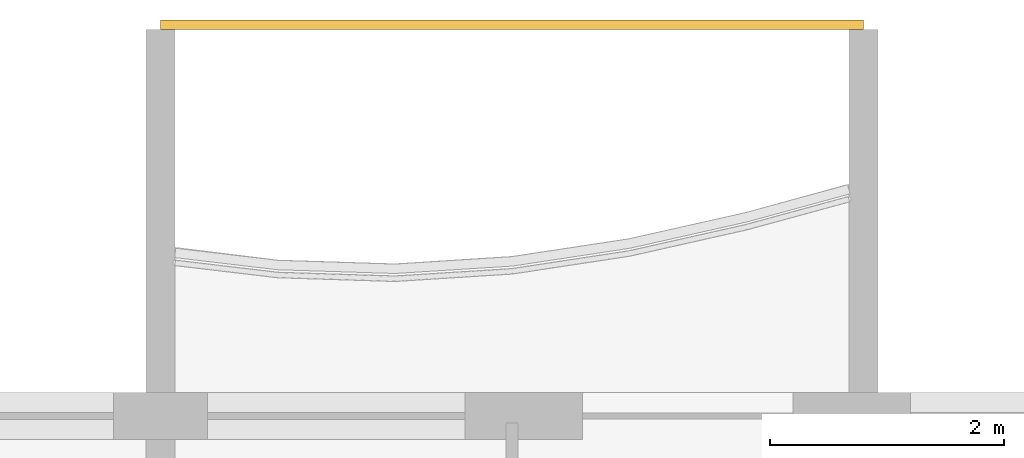
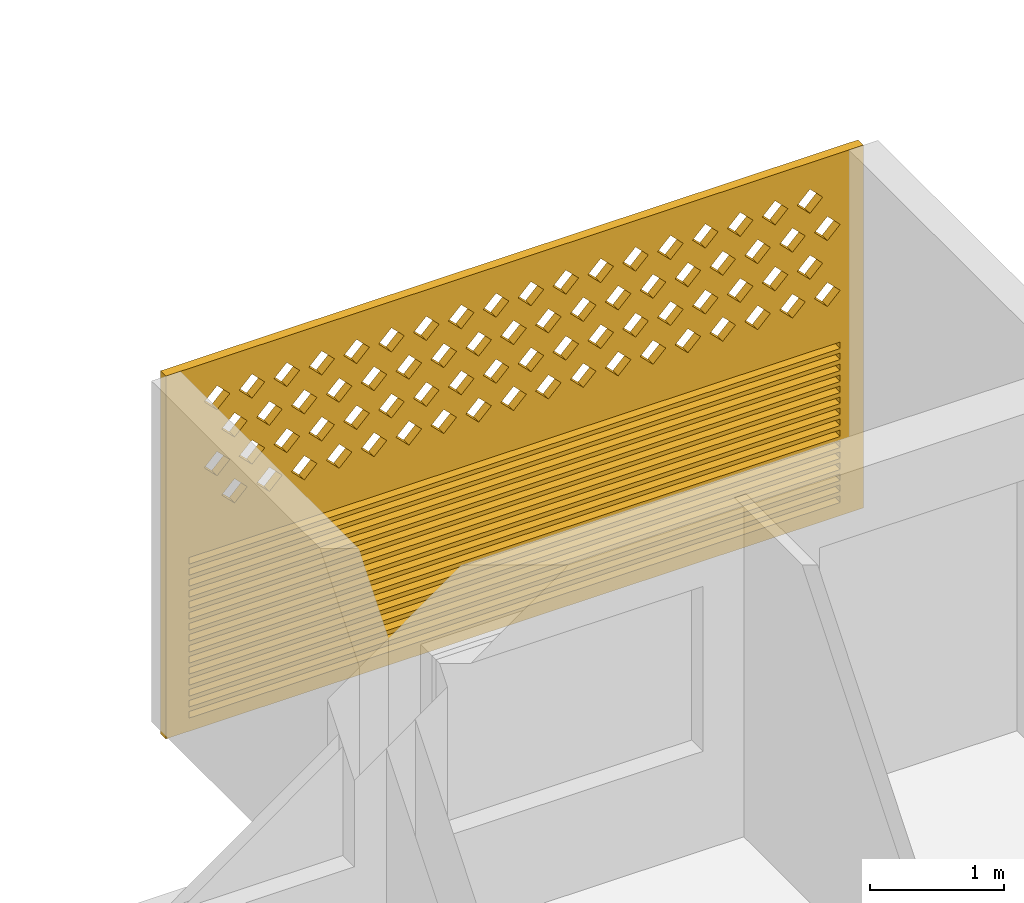
# One storey, part 23 of 27: 1 covering.
"""IFC4 building model written with IfcOpenShell, lengths in metres."""

from ifc_helpers import new_model, si_unit, direction, frame, origin, place, context, subcontext, project, spatial, polyline, outline, extrude, source, transform, mapped, material, material_profile, profile_set, type_object, element, save


model = new_model("IFC4")

# Units and contexts
model_context = context("Model", 3, precision=1e-05, world=origin(), true_north=direction((0.0, 1.0)))
body_context = subcontext(model_context, "Body", "Model", "MODEL_VIEW")
ifc_project = project(units=[si_unit("LENGTHUNIT", "METRE"), si_unit("AREAUNIT", "SQUARE_METRE"), si_unit("VOLUMEUNIT", "CUBIC_METRE"), si_unit("PLANEANGLEUNIT", "RADIAN"), si_unit("MASSUNIT", "GRAM", prefix="KILO")], contexts=[model_context])

# Site, building, storey
site_placement = place(None, origin())
site = spatial("IfcSite", under=ifc_project, at=site_placement, CompositionType="ELEMENT")
building_placement = place(site_placement, origin())
building = spatial("IfcBuilding", under=site, at=building_placement, Name="Poui Terraces", CompositionType="ELEMENT")
storey_placement = place(building_placement, frame((0.0, 0.0, 208.199951171875)))
storey = spatial("IfcBuildingStorey", under=building, at=storey_placement, Name="L58", CompositionType="ELEMENT", Elevation=208.199951171875)

# Covering
ifc_material = material(Name="Terracotta screen", Category="masonry")
ifc_material_profile = material_profile(ifc_material, outline(polyline([(-3.0, -1.64990234375), (3.0, -1.64990234375), (3.0, 1.64990234375), (-3.0, 1.64990234375), (-3.0, -1.64990234375)]), holes=[polyline([(-2.800048828125, 0.39990234375), (-2.68994140625, 0.2900390625), (-2.580078125, 0.39990234375), (-2.68994140625, 0.510009765625), (-2.800048828125, 0.39990234375)]), polyline([(-2.5, 0.39990234375), (-2.389892578125, 0.2900390625), (-2.280029296875, 0.39990234375), (-2.389892578125, 0.510009765625), (-2.5, 0.39990234375)]), polyline([(-2.199951171875, 0.39990234375), (-2.090087890625, 0.2900390625), (-1.97998046875, 0.39990234375), (-2.090087890625, 0.510009765625), (-2.199951171875, 0.39990234375)]), polyline([(-1.89990234375, 0.39990234375), (-1.7900390625, 0.2900390625), (-1.679931640625, 0.39990234375), (-1.7900390625, 0.510009765625), (-1.89990234375, 0.39990234375)]), polyline([(-1.60009765625, 0.39990234375), (-1.489990234375, 0.2900390625), (-1.3798828125, 0.39990234375), (-1.489990234375, 0.510009765625), (-1.60009765625, 0.39990234375)]), polyline([(-1.300048828125, 0.39990234375), (-1.18994140625, 0.2900390625), (-1.080078125, 0.39990234375), (-1.18994140625, 0.510009765625), (-1.300048828125, 0.39990234375)]), polyline([(-1.0, 0.39990234375), (-0.889892578125, 0.2900390625), (-0.780029296875, 0.39990234375), (-0.889892578125, 0.510009765625), (-1.0, 0.39990234375)]), polyline([(-0.699951171875, 0.39990234375), (-0.590087890625, 0.2900390625), (-0.47998046875, 0.39990234375), (-0.590087890625, 0.510009765625), (-0.699951171875, 0.39990234375)]), polyline([(-0.39990234375, 0.39990234375), (-0.2900390625, 0.2900390625), (-0.179931640625, 0.39990234375), (-0.2900390625, 0.510009765625), (-0.39990234375, 0.39990234375)]), polyline([(-0.10009765625, 0.39990234375), (0.010009765625, 0.2900390625), (0.1201171875, 0.39990234375), (0.010009765625, 0.510009765625), (-0.10009765625, 0.39990234375)]), polyline([(0.199951171875, 0.39990234375), (0.31005859375, 0.2900390625), (0.419921875, 0.39990234375), (0.31005859375, 0.510009765625), (0.199951171875, 0.39990234375)]), polyline([(0.5, 0.39990234375), (0.610107421875, 0.2900390625), (0.719970703125, 0.39990234375), (0.610107421875, 0.510009765625), (0.5, 0.39990234375)]), polyline([(0.800048828125, 0.39990234375), (0.909912109375, 0.2900390625), (1.02001953125, 0.39990234375), (0.909912109375, 0.510009765625), (0.800048828125, 0.39990234375)]), polyline([(1.10009765625, 0.39990234375), (1.2099609375, 0.2900390625), (1.320068359375, 0.39990234375), (1.2099609375, 0.510009765625), (1.10009765625, 0.39990234375)]), polyline([(1.39990234375, 0.39990234375), (1.510009765625, 0.2900390625), (1.6201171875, 0.39990234375), (1.510009765625, 0.510009765625), (1.39990234375, 0.39990234375)]), polyline([(1.699951171875, 0.39990234375), (1.81005859375, 0.2900390625), (1.919921875, 0.39990234375), (1.81005859375, 0.510009765625), (1.699951171875, 0.39990234375)]), polyline([(2.0, 0.39990234375), (2.110107421875, 0.2900390625), (2.219970703125, 0.39990234375), (2.110107421875, 0.510009765625), (2.0, 0.39990234375)]), polyline([(2.300048828125, 0.39990234375), (2.409912109375, 0.2900390625), (2.52001953125, 0.39990234375), (2.409912109375, 0.510009765625), (2.300048828125, 0.39990234375)]), polyline([(-2.64990234375, 0.699951171875), (-2.5400390625, 0.590087890625), (-2.429931640625, 0.699951171875), (-2.5400390625, 0.81005859375), (-2.64990234375, 0.699951171875)]), polyline([(-2.35009765625, 0.699951171875), (-2.239990234375, 0.590087890625), (-2.1298828125, 0.699951171875), (-2.239990234375, 0.81005859375), (-2.35009765625, 0.699951171875)]), polyline([(-2.050048828125, 0.699951171875), (-1.93994140625, 0.590087890625), (-1.830078125, 0.699951171875), (-1.93994140625, 0.81005859375), (-2.050048828125, 0.699951171875)]), polyline([(-1.75, 0.699951171875), (-1.639892578125, 0.590087890625), (-1.530029296875, 0.699951171875), (-1.639892578125, 0.81005859375), (-1.75, 0.699951171875)]), polyline([(-1.449951171875, 0.699951171875), (-1.340087890625, 0.590087890625), (-1.22998046875, 0.699951171875), (-1.340087890625, 0.81005859375), (-1.449951171875, 0.699951171875)]), polyline([(-1.14990234375, 0.699951171875), (-1.0400390625, 0.590087890625), (-0.929931640625, 0.699951171875), (-1.0400390625, 0.81005859375), (-1.14990234375, 0.699951171875)]), polyline([(-0.85009765625, 0.699951171875), (-0.739990234375, 0.590087890625), (-0.6298828125, 0.699951171875), (-0.739990234375, 0.81005859375), (-0.85009765625, 0.699951171875)]), polyline([(-0.550048828125, 0.699951171875), (-0.43994140625, 0.590087890625), (-0.330078125, 0.699951171875), (-0.43994140625, 0.81005859375), (-0.550048828125, 0.699951171875)]), polyline([(-0.25, 0.699951171875), (-0.139892578125, 0.590087890625), (-0.030029296875, 0.699951171875), (-0.139892578125, 0.81005859375), (-0.25, 0.699951171875)]), polyline([(0.050048828125, 0.699951171875), (0.159912109375, 0.590087890625), (0.27001953125, 0.699951171875), (0.159912109375, 0.81005859375), (0.050048828125, 0.699951171875)]), polyline([(0.35009765625, 0.699951171875), (0.4599609375, 0.590087890625), (0.570068359375, 0.699951171875), (0.4599609375, 0.81005859375), (0.35009765625, 0.699951171875)]), polyline([(0.64990234375, 0.699951171875), (0.760009765625, 0.590087890625), (0.8701171875, 0.699951171875), (0.760009765625, 0.81005859375), (0.64990234375, 0.699951171875)]), polyline([(0.949951171875, 0.699951171875), (1.06005859375, 0.590087890625), (1.169921875, 0.699951171875), (1.06005859375, 0.81005859375), (0.949951171875, 0.699951171875)]), polyline([(1.25, 0.699951171875), (1.360107421875, 0.590087890625), (1.469970703125, 0.699951171875), (1.360107421875, 0.81005859375), (1.25, 0.699951171875)]), polyline([(1.550048828125, 0.699951171875), (1.659912109375, 0.590087890625), (1.77001953125, 0.699951171875), (1.659912109375, 0.81005859375), (1.550048828125, 0.699951171875)]), polyline([(1.85009765625, 0.699951171875), (1.9599609375, 0.590087890625), (2.070068359375, 0.699951171875), (1.9599609375, 0.81005859375), (1.85009765625, 0.699951171875)]), polyline([(2.14990234375, 0.699951171875), (2.260009765625, 0.590087890625), (2.3701171875, 0.699951171875), (2.260009765625, 0.81005859375), (2.14990234375, 0.699951171875)]), polyline([(2.449951171875, 0.699951171875), (2.56005859375, 0.590087890625), (2.669921875, 0.699951171875), (2.56005859375, 0.81005859375), (2.449951171875, 0.699951171875)]), polyline([(-2.800048828125, 1.0), (-2.68994140625, 0.889892578125), (-2.580078125, 1.0), (-2.68994140625, 1.110107421875), (-2.800048828125, 1.0)]), polyline([(-2.5, 1.0), (-2.389892578125, 0.889892578125), (-2.280029296875, 1.0), (-2.389892578125, 1.110107421875), (-2.5, 1.0)]), polyline([(-2.199951171875, 1.0), (-2.090087890625, 0.889892578125), (-1.97998046875, 1.0), (-2.090087890625, 1.110107421875), (-2.199951171875, 1.0)]), polyline([(-1.89990234375, 1.0), (-1.7900390625, 0.889892578125), (-1.679931640625, 1.0), (-1.7900390625, 1.110107421875), (-1.89990234375, 1.0)]), polyline([(-1.60009765625, 1.0), (-1.489990234375, 0.889892578125), (-1.3798828125, 1.0), (-1.489990234375, 1.110107421875), (-1.60009765625, 1.0)]), polyline([(-1.300048828125, 1.0), (-1.18994140625, 0.889892578125), (-1.080078125, 1.0), (-1.18994140625, 1.110107421875), (-1.300048828125, 1.0)]), polyline([(-1.0, 1.0), (-0.889892578125, 0.889892578125), (-0.780029296875, 1.0), (-0.889892578125, 1.110107421875), (-1.0, 1.0)]), polyline([(-0.699951171875, 1.0), (-0.590087890625, 0.889892578125), (-0.47998046875, 1.0), (-0.590087890625, 1.110107421875), (-0.699951171875, 1.0)]), polyline([(-0.39990234375, 1.0), (-0.2900390625, 0.889892578125), (-0.179931640625, 1.0), (-0.2900390625, 1.110107421875), (-0.39990234375, 1.0)]), polyline([(-0.10009765625, 1.0), (0.010009765625, 0.889892578125), (0.1201171875, 1.0), (0.010009765625, 1.110107421875), (-0.10009765625, 1.0)]), polyline([(0.199951171875, 1.0), (0.31005859375, 0.889892578125), (0.419921875, 1.0), (0.31005859375, 1.110107421875), (0.199951171875, 1.0)]), polyline([(0.5, 1.0), (0.610107421875, 0.889892578125), (0.719970703125, 1.0), (0.610107421875, 1.110107421875), (0.5, 1.0)]), polyline([(0.800048828125, 1.0), (0.909912109375, 0.889892578125), (1.02001953125, 1.0), (0.909912109375, 1.110107421875), (0.800048828125, 1.0)]), polyline([(1.10009765625, 1.0), (1.2099609375, 0.889892578125), (1.320068359375, 1.0), (1.2099609375, 1.110107421875), (1.10009765625, 1.0)]), polyline([(1.39990234375, 1.0), (1.510009765625, 0.889892578125), (1.6201171875, 1.0), (1.510009765625, 1.110107421875), (1.39990234375, 1.0)]), polyline([(1.699951171875, 1.0), (1.81005859375, 0.889892578125), (1.919921875, 1.0), (1.81005859375, 1.110107421875), (1.699951171875, 1.0)]), polyline([(2.0, 1.0), (2.110107421875, 0.889892578125), (2.219970703125, 1.0), (2.110107421875, 1.110107421875), (2.0, 1.0)]), polyline([(2.300048828125, 1.0), (2.409912109375, 0.889892578125), (2.52001953125, 1.0), (2.409912109375, 1.110107421875), (2.300048828125, 1.0)]), polyline([(-2.64990234375, 1.300048828125), (-2.5400390625, 1.18994140625), (-2.429931640625, 1.300048828125), (-2.5400390625, 1.409912109375), (-2.64990234375, 1.300048828125)]), polyline([(-2.35009765625, 1.300048828125), (-2.239990234375, 1.18994140625), (-2.1298828125, 1.300048828125), (-2.239990234375, 1.409912109375), (-2.35009765625, 1.300048828125)]), polyline([(-2.050048828125, 1.300048828125), (-1.93994140625, 1.18994140625), (-1.830078125, 1.300048828125), (-1.93994140625, 1.409912109375), (-2.050048828125, 1.300048828125)]), polyline([(-1.75, 1.300048828125), (-1.639892578125, 1.18994140625), (-1.530029296875, 1.300048828125), (-1.639892578125, 1.409912109375), (-1.75, 1.300048828125)]), polyline([(-1.449951171875, 1.300048828125), (-1.340087890625, 1.18994140625), (-1.22998046875, 1.300048828125), (-1.340087890625, 1.409912109375), (-1.449951171875, 1.300048828125)]), polyline([(-1.14990234375, 1.300048828125), (-1.0400390625, 1.18994140625), (-0.929931640625, 1.300048828125), (-1.0400390625, 1.409912109375), (-1.14990234375, 1.300048828125)]), polyline([(-0.85009765625, 1.300048828125), (-0.739990234375, 1.18994140625), (-0.6298828125, 1.300048828125), (-0.739990234375, 1.409912109375), (-0.85009765625, 1.300048828125)]), polyline([(-0.550048828125, 1.300048828125), (-0.43994140625, 1.18994140625), (-0.330078125, 1.300048828125), (-0.43994140625, 1.409912109375), (-0.550048828125, 1.300048828125)]), polyline([(-0.25, 1.300048828125), (-0.139892578125, 1.18994140625), (-0.030029296875, 1.300048828125), (-0.139892578125, 1.409912109375), (-0.25, 1.300048828125)]), polyline([(0.050048828125, 1.300048828125), (0.159912109375, 1.18994140625), (0.27001953125, 1.300048828125), (0.159912109375, 1.409912109375), (0.050048828125, 1.300048828125)]), polyline([(0.35009765625, 1.300048828125), (0.4599609375, 1.18994140625), (0.570068359375, 1.300048828125), (0.4599609375, 1.409912109375), (0.35009765625, 1.300048828125)]), polyline([(0.64990234375, 1.300048828125), (0.760009765625, 1.18994140625), (0.8701171875, 1.300048828125), (0.760009765625, 1.409912109375), (0.64990234375, 1.300048828125)]), polyline([(0.949951171875, 1.300048828125), (1.06005859375, 1.18994140625), (1.169921875, 1.300048828125), (1.06005859375, 1.409912109375), (0.949951171875, 1.300048828125)]), polyline([(1.25, 1.300048828125), (1.360107421875, 1.18994140625), (1.469970703125, 1.300048828125), (1.360107421875, 1.409912109375), (1.25, 1.300048828125)]), polyline([(1.550048828125, 1.300048828125), (1.659912109375, 1.18994140625), (1.77001953125, 1.300048828125), (1.659912109375, 1.409912109375), (1.550048828125, 1.300048828125)]), polyline([(1.85009765625, 1.300048828125), (1.9599609375, 1.18994140625), (2.070068359375, 1.300048828125), (1.9599609375, 1.409912109375), (1.85009765625, 1.300048828125)]), polyline([(2.14990234375, 1.300048828125), (2.260009765625, 1.18994140625), (2.3701171875, 1.300048828125), (2.260009765625, 1.409912109375), (2.14990234375, 1.300048828125)]), polyline([(2.449951171875, 1.300048828125), (2.56005859375, 1.18994140625), (2.669921875, 1.300048828125), (2.56005859375, 1.409912109375), (2.449951171875, 1.300048828125)]), polyline([(-2.800048828125, -1.530029296875), (2.800048828125, -1.530029296875), (2.800048828125, -1.469970703125), (-2.800048828125, -1.469970703125), (-2.800048828125, -1.530029296875)]), polyline([(-2.800048828125, -1.429931640625), (2.800048828125, -1.429931640625), (2.800048828125, -1.3701171875), (-2.800048828125, -1.3701171875), (-2.800048828125, -1.429931640625)]), polyline([(-2.800048828125, -1.330078125), (2.800048828125, -1.330078125), (2.800048828125, -1.27001953125), (-2.800048828125, -1.27001953125), (-2.800048828125, -1.330078125)]), polyline([(-2.800048828125, -1.22998046875), (2.800048828125, -1.22998046875), (2.800048828125, -1.169921875), (-2.800048828125, -1.169921875), (-2.800048828125, -1.22998046875)]), polyline([(-2.800048828125, -1.1298828125), (2.800048828125, -1.1298828125), (2.800048828125, -1.070068359375), (-2.800048828125, -1.070068359375), (-2.800048828125, -1.1298828125)]), polyline([(-2.800048828125, -1.030029296875), (2.800048828125, -1.030029296875), (2.800048828125, -0.969970703125), (-2.800048828125, -0.969970703125), (-2.800048828125, -1.030029296875)]), polyline([(-2.800048828125, -0.929931640625), (2.800048828125, -0.929931640625), (2.800048828125, -0.8701171875), (-2.800048828125, -0.8701171875), (-2.800048828125, -0.929931640625)]), polyline([(-2.800048828125, -0.830078125), (2.800048828125, -0.830078125), (2.800048828125, -0.77001953125), (-2.800048828125, -0.77001953125), (-2.800048828125, -0.830078125)]), polyline([(-2.800048828125, -0.72998046875), (2.800048828125, -0.72998046875), (2.800048828125, -0.669921875), (-2.800048828125, -0.669921875), (-2.800048828125, -0.72998046875)]), polyline([(-2.800048828125, -0.6298828125), (2.800048828125, -0.6298828125), (2.800048828125, -0.570068359375), (-2.800048828125, -0.570068359375), (-2.800048828125, -0.6298828125)]), polyline([(-2.800048828125, -0.530029296875), (2.800048828125, -0.530029296875), (2.800048828125, -0.469970703125), (-2.800048828125, -0.469970703125), (-2.800048828125, -0.530029296875)]), polyline([(-2.800048828125, -0.429931640625), (2.800048828125, -0.429931640625), (2.800048828125, -0.3701171875), (-2.800048828125, -0.3701171875), (-2.800048828125, -0.429931640625)]), polyline([(-2.800048828125, -0.330078125), (2.800048828125, -0.330078125), (2.800048828125, -0.27001953125), (-2.800048828125, -0.27001953125), (-2.800048828125, -0.330078125)]), polyline([(-2.800048828125, -0.22998046875), (2.800048828125, -0.22998046875), (2.800048828125, -0.169921875), (-2.800048828125, -0.169921875), (-2.800048828125, -0.22998046875)]), polyline([(-2.800048828125, -0.1298828125), (2.800048828125, -0.1298828125), (2.800048828125, -0.070068359375), (-2.800048828125, -0.070068359375), (-2.800048828125, -0.1298828125)])]), Name="TERRACOTTA SCREEN AND JALOUSIE LOUVRE 6000X3300")
ifc_profile_set = profile_set([ifc_material_profile], Name="Terracotta screen")
covering_type = type_object("IfcCoveringType", Name="TERRACOTTA SCREEN AND JALOUSIE LOUVRE 6000X3300", PredefinedType="CLADDING", material=ifc_profile_set)
shared_shape = source(origin(), body_context, "Body", "SweptSolid", [
    extrude(outline(polyline([(-3.0, -1.64990234375), (3.0, -1.64990234375), (3.0, 1.64990234375), (-3.0, 1.64990234375), (-3.0, -1.64990234375)]), holes=[polyline([(-2.800048828125, 0.39990234375), (-2.68994140625, 0.2900390625), (-2.580078125, 0.39990234375), (-2.68994140625, 0.510009765625), (-2.800048828125, 0.39990234375)]), polyline([(-2.5, 0.39990234375), (-2.389892578125, 0.2900390625), (-2.280029296875, 0.39990234375), (-2.389892578125, 0.510009765625), (-2.5, 0.39990234375)]), polyline([(-2.199951171875, 0.39990234375), (-2.090087890625, 0.2900390625), (-1.97998046875, 0.39990234375), (-2.090087890625, 0.510009765625), (-2.199951171875, 0.39990234375)]), polyline([(-1.89990234375, 0.39990234375), (-1.7900390625, 0.2900390625), (-1.679931640625, 0.39990234375), (-1.7900390625, 0.510009765625), (-1.89990234375, 0.39990234375)]), polyline([(-1.60009765625, 0.39990234375), (-1.489990234375, 0.2900390625), (-1.3798828125, 0.39990234375), (-1.489990234375, 0.510009765625), (-1.60009765625, 0.39990234375)]), polyline([(-1.300048828125, 0.39990234375), (-1.18994140625, 0.2900390625), (-1.080078125, 0.39990234375), (-1.18994140625, 0.510009765625), (-1.300048828125, 0.39990234375)]), polyline([(-1.0, 0.39990234375), (-0.889892578125, 0.2900390625), (-0.780029296875, 0.39990234375), (-0.889892578125, 0.510009765625), (-1.0, 0.39990234375)]), polyline([(-0.699951171875, 0.39990234375), (-0.590087890625, 0.2900390625), (-0.47998046875, 0.39990234375), (-0.590087890625, 0.510009765625), (-0.699951171875, 0.39990234375)]), polyline([(-0.39990234375, 0.39990234375), (-0.2900390625, 0.2900390625), (-0.179931640625, 0.39990234375), (-0.2900390625, 0.510009765625), (-0.39990234375, 0.39990234375)]), polyline([(-0.10009765625, 0.39990234375), (0.010009765625, 0.2900390625), (0.1201171875, 0.39990234375), (0.010009765625, 0.510009765625), (-0.10009765625, 0.39990234375)]), polyline([(0.199951171875, 0.39990234375), (0.31005859375, 0.2900390625), (0.419921875, 0.39990234375), (0.31005859375, 0.510009765625), (0.199951171875, 0.39990234375)]), polyline([(0.5, 0.39990234375), (0.610107421875, 0.2900390625), (0.719970703125, 0.39990234375), (0.610107421875, 0.510009765625), (0.5, 0.39990234375)]), polyline([(0.800048828125, 0.39990234375), (0.909912109375, 0.2900390625), (1.02001953125, 0.39990234375), (0.909912109375, 0.510009765625), (0.800048828125, 0.39990234375)]), polyline([(1.10009765625, 0.39990234375), (1.2099609375, 0.2900390625), (1.320068359375, 0.39990234375), (1.2099609375, 0.510009765625), (1.10009765625, 0.39990234375)]), polyline([(1.39990234375, 0.39990234375), (1.510009765625, 0.2900390625), (1.6201171875, 0.39990234375), (1.510009765625, 0.510009765625), (1.39990234375, 0.39990234375)]), polyline([(1.699951171875, 0.39990234375), (1.81005859375, 0.2900390625), (1.919921875, 0.39990234375), (1.81005859375, 0.510009765625), (1.699951171875, 0.39990234375)]), polyline([(2.0, 0.39990234375), (2.110107421875, 0.2900390625), (2.219970703125, 0.39990234375), (2.110107421875, 0.510009765625), (2.0, 0.39990234375)]), polyline([(2.300048828125, 0.39990234375), (2.409912109375, 0.2900390625), (2.52001953125, 0.39990234375), (2.409912109375, 0.510009765625), (2.300048828125, 0.39990234375)]), polyline([(-2.64990234375, 0.699951171875), (-2.5400390625, 0.590087890625), (-2.429931640625, 0.699951171875), (-2.5400390625, 0.81005859375), (-2.64990234375, 0.699951171875)]), polyline([(-2.35009765625, 0.699951171875), (-2.239990234375, 0.590087890625), (-2.1298828125, 0.699951171875), (-2.239990234375, 0.81005859375), (-2.35009765625, 0.699951171875)]), polyline([(-2.050048828125, 0.699951171875), (-1.93994140625, 0.590087890625), (-1.830078125, 0.699951171875), (-1.93994140625, 0.81005859375), (-2.050048828125, 0.699951171875)]), polyline([(-1.75, 0.699951171875), (-1.639892578125, 0.590087890625), (-1.530029296875, 0.699951171875), (-1.639892578125, 0.81005859375), (-1.75, 0.699951171875)]), polyline([(-1.449951171875, 0.699951171875), (-1.340087890625, 0.590087890625), (-1.22998046875, 0.699951171875), (-1.340087890625, 0.81005859375), (-1.449951171875, 0.699951171875)]), polyline([(-1.14990234375, 0.699951171875), (-1.0400390625, 0.590087890625), (-0.929931640625, 0.699951171875), (-1.0400390625, 0.81005859375), (-1.14990234375, 0.699951171875)]), polyline([(-0.85009765625, 0.699951171875), (-0.739990234375, 0.590087890625), (-0.6298828125, 0.699951171875), (-0.739990234375, 0.81005859375), (-0.85009765625, 0.699951171875)]), polyline([(-0.550048828125, 0.699951171875), (-0.43994140625, 0.590087890625), (-0.330078125, 0.699951171875), (-0.43994140625, 0.81005859375), (-0.550048828125, 0.699951171875)]), polyline([(-0.25, 0.699951171875), (-0.139892578125, 0.590087890625), (-0.030029296875, 0.699951171875), (-0.139892578125, 0.81005859375), (-0.25, 0.699951171875)]), polyline([(0.050048828125, 0.699951171875), (0.159912109375, 0.590087890625), (0.27001953125, 0.699951171875), (0.159912109375, 0.81005859375), (0.050048828125, 0.699951171875)]), polyline([(0.35009765625, 0.699951171875), (0.4599609375, 0.590087890625), (0.570068359375, 0.699951171875), (0.4599609375, 0.81005859375), (0.35009765625, 0.699951171875)]), polyline([(0.64990234375, 0.699951171875), (0.760009765625, 0.590087890625), (0.8701171875, 0.699951171875), (0.760009765625, 0.81005859375), (0.64990234375, 0.699951171875)]), polyline([(0.949951171875, 0.699951171875), (1.06005859375, 0.590087890625), (1.169921875, 0.699951171875), (1.06005859375, 0.81005859375), (0.949951171875, 0.699951171875)]), polyline([(1.25, 0.699951171875), (1.360107421875, 0.590087890625), (1.469970703125, 0.699951171875), (1.360107421875, 0.81005859375), (1.25, 0.699951171875)]), polyline([(1.550048828125, 0.699951171875), (1.659912109375, 0.590087890625), (1.77001953125, 0.699951171875), (1.659912109375, 0.81005859375), (1.550048828125, 0.699951171875)]), polyline([(1.85009765625, 0.699951171875), (1.9599609375, 0.590087890625), (2.070068359375, 0.699951171875), (1.9599609375, 0.81005859375), (1.85009765625, 0.699951171875)]), polyline([(2.14990234375, 0.699951171875), (2.260009765625, 0.590087890625), (2.3701171875, 0.699951171875), (2.260009765625, 0.81005859375), (2.14990234375, 0.699951171875)]), polyline([(2.449951171875, 0.699951171875), (2.56005859375, 0.590087890625), (2.669921875, 0.699951171875), (2.56005859375, 0.81005859375), (2.449951171875, 0.699951171875)]), polyline([(-2.800048828125, 1.0), (-2.68994140625, 0.889892578125), (-2.580078125, 1.0), (-2.68994140625, 1.110107421875), (-2.800048828125, 1.0)]), polyline([(-2.5, 1.0), (-2.389892578125, 0.889892578125), (-2.280029296875, 1.0), (-2.389892578125, 1.110107421875), (-2.5, 1.0)]), polyline([(-2.199951171875, 1.0), (-2.090087890625, 0.889892578125), (-1.97998046875, 1.0), (-2.090087890625, 1.110107421875), (-2.199951171875, 1.0)]), polyline([(-1.89990234375, 1.0), (-1.7900390625, 0.889892578125), (-1.679931640625, 1.0), (-1.7900390625, 1.110107421875), (-1.89990234375, 1.0)]), polyline([(-1.60009765625, 1.0), (-1.489990234375, 0.889892578125), (-1.3798828125, 1.0), (-1.489990234375, 1.110107421875), (-1.60009765625, 1.0)]), polyline([(-1.300048828125, 1.0), (-1.18994140625, 0.889892578125), (-1.080078125, 1.0), (-1.18994140625, 1.110107421875), (-1.300048828125, 1.0)]), polyline([(-1.0, 1.0), (-0.889892578125, 0.889892578125), (-0.780029296875, 1.0), (-0.889892578125, 1.110107421875), (-1.0, 1.0)]), polyline([(-0.699951171875, 1.0), (-0.590087890625, 0.889892578125), (-0.47998046875, 1.0), (-0.590087890625, 1.110107421875), (-0.699951171875, 1.0)]), polyline([(-0.39990234375, 1.0), (-0.2900390625, 0.889892578125), (-0.179931640625, 1.0), (-0.2900390625, 1.110107421875), (-0.39990234375, 1.0)]), polyline([(-0.10009765625, 1.0), (0.010009765625, 0.889892578125), (0.1201171875, 1.0), (0.010009765625, 1.110107421875), (-0.10009765625, 1.0)]), polyline([(0.199951171875, 1.0), (0.31005859375, 0.889892578125), (0.419921875, 1.0), (0.31005859375, 1.110107421875), (0.199951171875, 1.0)]), polyline([(0.5, 1.0), (0.610107421875, 0.889892578125), (0.719970703125, 1.0), (0.610107421875, 1.110107421875), (0.5, 1.0)]), polyline([(0.800048828125, 1.0), (0.909912109375, 0.889892578125), (1.02001953125, 1.0), (0.909912109375, 1.110107421875), (0.800048828125, 1.0)]), polyline([(1.10009765625, 1.0), (1.2099609375, 0.889892578125), (1.320068359375, 1.0), (1.2099609375, 1.110107421875), (1.10009765625, 1.0)]), polyline([(1.39990234375, 1.0), (1.510009765625, 0.889892578125), (1.6201171875, 1.0), (1.510009765625, 1.110107421875), (1.39990234375, 1.0)]), polyline([(1.699951171875, 1.0), (1.81005859375, 0.889892578125), (1.919921875, 1.0), (1.81005859375, 1.110107421875), (1.699951171875, 1.0)]), polyline([(2.0, 1.0), (2.110107421875, 0.889892578125), (2.219970703125, 1.0), (2.110107421875, 1.110107421875), (2.0, 1.0)]), polyline([(2.300048828125, 1.0), (2.409912109375, 0.889892578125), (2.52001953125, 1.0), (2.409912109375, 1.110107421875), (2.300048828125, 1.0)]), polyline([(-2.64990234375, 1.300048828125), (-2.5400390625, 1.18994140625), (-2.429931640625, 1.300048828125), (-2.5400390625, 1.409912109375), (-2.64990234375, 1.300048828125)]), polyline([(-2.35009765625, 1.300048828125), (-2.239990234375, 1.18994140625), (-2.1298828125, 1.300048828125), (-2.239990234375, 1.409912109375), (-2.35009765625, 1.300048828125)]), polyline([(-2.050048828125, 1.300048828125), (-1.93994140625, 1.18994140625), (-1.830078125, 1.300048828125), (-1.93994140625, 1.409912109375), (-2.050048828125, 1.300048828125)]), polyline([(-1.75, 1.300048828125), (-1.639892578125, 1.18994140625), (-1.530029296875, 1.300048828125), (-1.639892578125, 1.409912109375), (-1.75, 1.300048828125)]), polyline([(-1.449951171875, 1.300048828125), (-1.340087890625, 1.18994140625), (-1.22998046875, 1.300048828125), (-1.340087890625, 1.409912109375), (-1.449951171875, 1.300048828125)]), polyline([(-1.14990234375, 1.300048828125), (-1.0400390625, 1.18994140625), (-0.929931640625, 1.300048828125), (-1.0400390625, 1.409912109375), (-1.14990234375, 1.300048828125)]), polyline([(-0.85009765625, 1.300048828125), (-0.739990234375, 1.18994140625), (-0.6298828125, 1.300048828125), (-0.739990234375, 1.409912109375), (-0.85009765625, 1.300048828125)]), polyline([(-0.550048828125, 1.300048828125), (-0.43994140625, 1.18994140625), (-0.330078125, 1.300048828125), (-0.43994140625, 1.409912109375), (-0.550048828125, 1.300048828125)]), polyline([(-0.25, 1.300048828125), (-0.139892578125, 1.18994140625), (-0.030029296875, 1.300048828125), (-0.139892578125, 1.409912109375), (-0.25, 1.300048828125)]), polyline([(0.050048828125, 1.300048828125), (0.159912109375, 1.18994140625), (0.27001953125, 1.300048828125), (0.159912109375, 1.409912109375), (0.050048828125, 1.300048828125)]), polyline([(0.35009765625, 1.300048828125), (0.4599609375, 1.18994140625), (0.570068359375, 1.300048828125), (0.4599609375, 1.409912109375), (0.35009765625, 1.300048828125)]), polyline([(0.64990234375, 1.300048828125), (0.760009765625, 1.18994140625), (0.8701171875, 1.300048828125), (0.760009765625, 1.409912109375), (0.64990234375, 1.300048828125)]), polyline([(0.949951171875, 1.300048828125), (1.06005859375, 1.18994140625), (1.169921875, 1.300048828125), (1.06005859375, 1.409912109375), (0.949951171875, 1.300048828125)]), polyline([(1.25, 1.300048828125), (1.360107421875, 1.18994140625), (1.469970703125, 1.300048828125), (1.360107421875, 1.409912109375), (1.25, 1.300048828125)]), polyline([(1.550048828125, 1.300048828125), (1.659912109375, 1.18994140625), (1.77001953125, 1.300048828125), (1.659912109375, 1.409912109375), (1.550048828125, 1.300048828125)]), polyline([(1.85009765625, 1.300048828125), (1.9599609375, 1.18994140625), (2.070068359375, 1.300048828125), (1.9599609375, 1.409912109375), (1.85009765625, 1.300048828125)]), polyline([(2.14990234375, 1.300048828125), (2.260009765625, 1.18994140625), (2.3701171875, 1.300048828125), (2.260009765625, 1.409912109375), (2.14990234375, 1.300048828125)]), polyline([(2.449951171875, 1.300048828125), (2.56005859375, 1.18994140625), (2.669921875, 1.300048828125), (2.56005859375, 1.409912109375), (2.449951171875, 1.300048828125)]), polyline([(-2.800048828125, -1.530029296875), (2.800048828125, -1.530029296875), (2.800048828125, -1.469970703125), (-2.800048828125, -1.469970703125), (-2.800048828125, -1.530029296875)]), polyline([(-2.800048828125, -1.429931640625), (2.800048828125, -1.429931640625), (2.800048828125, -1.3701171875), (-2.800048828125, -1.3701171875), (-2.800048828125, -1.429931640625)]), polyline([(-2.800048828125, -1.330078125), (2.800048828125, -1.330078125), (2.800048828125, -1.27001953125), (-2.800048828125, -1.27001953125), (-2.800048828125, -1.330078125)]), polyline([(-2.800048828125, -1.22998046875), (2.800048828125, -1.22998046875), (2.800048828125, -1.169921875), (-2.800048828125, -1.169921875), (-2.800048828125, -1.22998046875)]), polyline([(-2.800048828125, -1.1298828125), (2.800048828125, -1.1298828125), (2.800048828125, -1.070068359375), (-2.800048828125, -1.070068359375), (-2.800048828125, -1.1298828125)]), polyline([(-2.800048828125, -1.030029296875), (2.800048828125, -1.030029296875), (2.800048828125, -0.969970703125), (-2.800048828125, -0.969970703125), (-2.800048828125, -1.030029296875)]), polyline([(-2.800048828125, -0.929931640625), (2.800048828125, -0.929931640625), (2.800048828125, -0.8701171875), (-2.800048828125, -0.8701171875), (-2.800048828125, -0.929931640625)]), polyline([(-2.800048828125, -0.830078125), (2.800048828125, -0.830078125), (2.800048828125, -0.77001953125), (-2.800048828125, -0.77001953125), (-2.800048828125, -0.830078125)]), polyline([(-2.800048828125, -0.72998046875), (2.800048828125, -0.72998046875), (2.800048828125, -0.669921875), (-2.800048828125, -0.669921875), (-2.800048828125, -0.72998046875)]), polyline([(-2.800048828125, -0.6298828125), (2.800048828125, -0.6298828125), (2.800048828125, -0.570068359375), (-2.800048828125, -0.570068359375), (-2.800048828125, -0.6298828125)]), polyline([(-2.800048828125, -0.530029296875), (2.800048828125, -0.530029296875), (2.800048828125, -0.469970703125), (-2.800048828125, -0.469970703125), (-2.800048828125, -0.530029296875)]), polyline([(-2.800048828125, -0.429931640625), (2.800048828125, -0.429931640625), (2.800048828125, -0.3701171875), (-2.800048828125, -0.3701171875), (-2.800048828125, -0.429931640625)]), polyline([(-2.800048828125, -0.330078125), (2.800048828125, -0.330078125), (2.800048828125, -0.27001953125), (-2.800048828125, -0.27001953125), (-2.800048828125, -0.330078125)]), polyline([(-2.800048828125, -0.22998046875), (2.800048828125, -0.22998046875), (2.800048828125, -0.169921875), (-2.800048828125, -0.169921875), (-2.800048828125, -0.22998046875)]), polyline([(-2.800048828125, -0.1298828125), (2.800048828125, -0.1298828125), (2.800048828125, -0.070068359375), (-2.800048828125, -0.070068359375), (-2.800048828125, -0.1298828125)])]), origin(), (0.0, 0.0, 1.0), 0.080078125),
])
covering_placement = place(storey_placement, frame((51.0, 44.5, 1.449951171875), z_axis=(0.0, 1.0, 0.0), x_axis=(-1.0, 0.0, 0.0)))
element("IfcCovering", 1, at=covering_placement, inside=storey, type_object=covering_type, Name="SOLAR SCREEN AND JALOUSIE LOUVRE", PredefinedType="CLADDING", context=body_context, shape_type="MappedRepresentation", body=[
    mapped(shared_shape, transform((0.0, 0.0, 0.0))),
])

save(model, "model.ifc")
